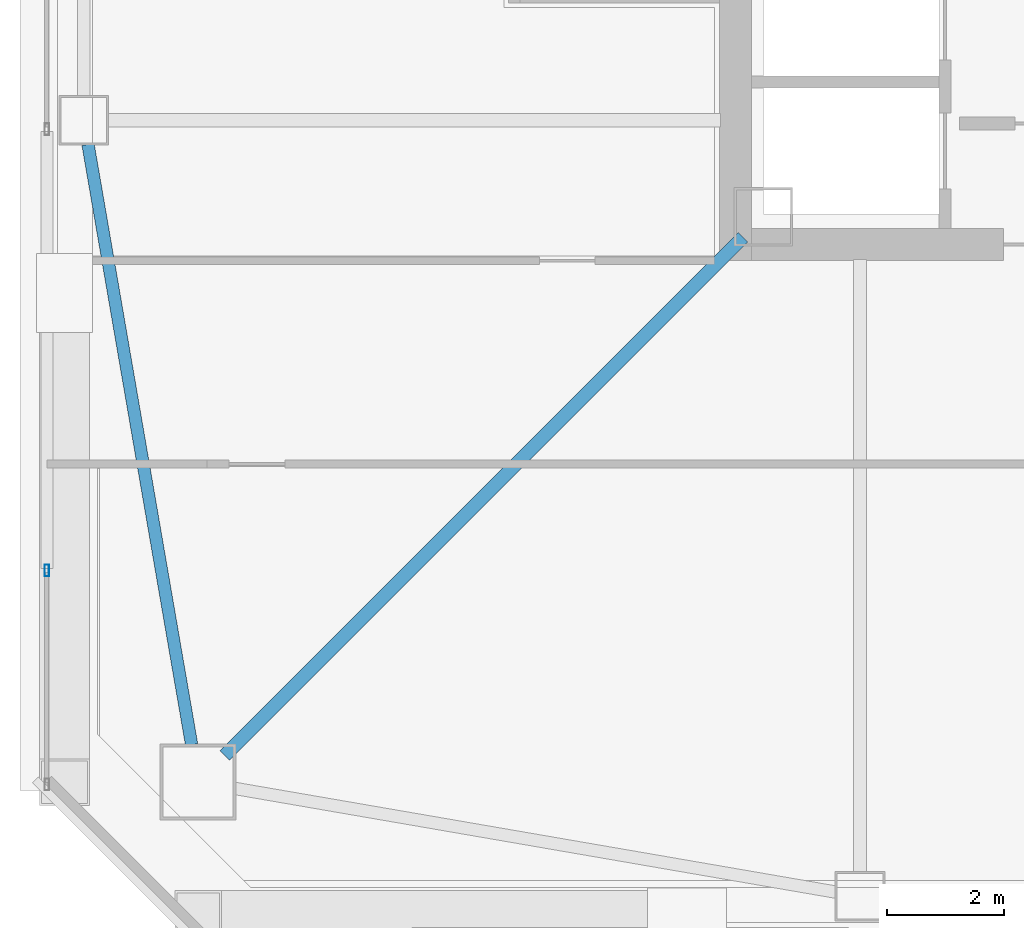
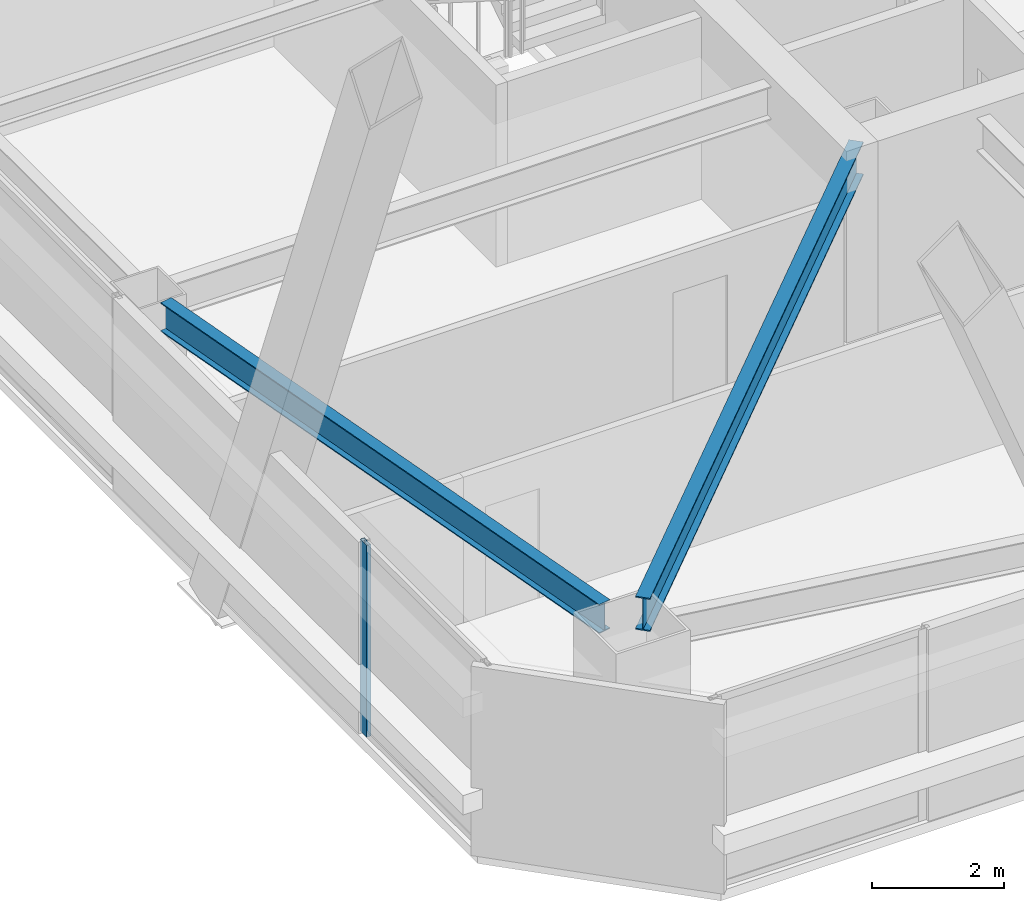
# One storey, part 7 of 54: 2 beams, 1 member, 1 element without a shape of its own.
"""IFC4 building model written with IfcOpenShell, lengths in metres."""

from ifc_helpers import new_model, si_unit, direction, frame, origin, origin_2d, place, context, subcontext, project, spatial, hollow_rectangle, i_section, extrude, material, material_profile, profile_set, type_object, element, aggregate, save


model = new_model("IFC4")

# Units and contexts
model_context = context("Model", 3, precision=1e-05, world=origin(), true_north=direction((0.0, 1.0)))
body_context = subcontext(model_context, "Body", "Model", "MODEL_VIEW")
ifc_project = project(units=[si_unit("LENGTHUNIT", "METRE"), si_unit("AREAUNIT", "SQUARE_METRE"), si_unit("VOLUMEUNIT", "CUBIC_METRE"), si_unit("PLANEANGLEUNIT", "RADIAN"), si_unit("MASSUNIT", "GRAM", prefix="KILO")], contexts=[model_context])

# Site, building, storey
site_placement = place(None, origin())
site = spatial("IfcSite", under=ifc_project, at=site_placement, CompositionType="ELEMENT")
building_placement = place(site_placement, origin())
building = spatial("IfcBuilding", under=site, at=building_placement, Name="Tashvorn Skyway Center", CompositionType="ELEMENT")
storey_placement = place(building_placement, frame((0.0, 0.0, 135.699951171875)))
storey = spatial("IfcBuildingStorey", under=building, at=storey_placement, Name="L36", CompositionType="ELEMENT", Elevation=135.699951171875)

# Beams
ifc_material_1 = material(Name="Steel ASTM A992 Grade 50", Category="steel")
ifc_material_profile_1 = material_profile(ifc_material_1, i_section(OverallWidth=0.22998046875, OverallDepth=0.616943359375, WebThickness=0.01318359375, FlangeThickness=0.022216796875, at=origin_2d()), Name="W24X94")
ifc_profile_set_1 = profile_set([ifc_material_profile_1], Name="Steel ASTM A992 Grade 50")
beam_type_1 = type_object("IfcBeamType", Name="BM-BEAM-W24X94", PredefinedType="BEAM", material=ifc_profile_set_1)
beam_1_placement = place(storey_placement, frame((25.756103515625, 15.756103515625, 3.0615234375), z_axis=(0.707106781187, 0.707106781187, 0.0), x_axis=(-0.707106781187, 0.707106781187, 0.0)))
element("IfcBeam", 1, at=beam_1_placement, inside=storey, type_object=beam_type_1, Name="Tower 1 L36 Primary Floor Girder MC-SW", PredefinedType="BEAM", context=body_context, shape_type="SweptSolid", body=[
    extrude(i_section(OverallWidth=0.22998046875, OverallDepth=0.616943359375, WebThickness=0.01318359375, FlangeThickness=0.022216796875, at=origin_2d()), origin(), (0.0, 0.0, 1.0), 12.50732421875),
])
ifc_material_profile_2 = material_profile(ifc_material_1, i_section(OverallWidth=0.2109375, OverallDepth=0.5390625, WebThickness=0.01171875, FlangeThickness=0.018798828125, at=origin_2d()), Name="W21X73")
ifc_profile_set_2 = profile_set([ifc_material_profile_2], Name="Steel ASTM A992 Grade 50")
beam_type_2 = type_object("IfcBeamType", Name="BM-SPANDREL-W21X73", PredefinedType="SPANDREL", material=ifc_profile_set_2)
beam_2_placement = place(storey_placement, frame((23.42138671875, 26.18603515625, 3.1005859375), z_axis=(0.170067250846, -0.985432458462, 0.0), x_axis=(0.985432458462, 0.170067250846, 0.0)))
element("IfcBeam", 2, at=beam_2_placement, inside=storey, type_object=beam_type_2, Name="Tower 1 L36 Spandrel Beam 12", PredefinedType="SPANDREL", context=body_context, shape_type="SweptSolid", body=[
    extrude(i_section(OverallWidth=0.2109375, OverallDepth=0.5390625, WebThickness=0.01171875, FlangeThickness=0.018798828125, at=origin_2d()), origin(), (0.0, 0.0, 1.0), 10.402099609375),
])

# Curtain wall, member
ifc_material_2 = material(Name="Thermally broken bronze-anodized aluminium 6063-T6", Category="aluminium")
curtain_wall_type = type_object("IfcCurtainWallType", Name="CW-CW-Z3", PredefinedType="NOTDEFINED", material=ifc_material_2)
curtain_wall_placement = place(storey_placement, origin())
curtain_wall = element("IfcCurtainWall", 3, at=curtain_wall_placement, inside=storey, type_object=curtain_wall_type, Name="Tower 1 L36 West Unitised Curtain Wall Glazing Group 1", PredefinedType="NOTDEFINED")
ifc_material_profile_3 = material_profile(ifc_material_2, hollow_rectangle(XDim=0.074951171875, YDim=0.199951171875, WallThickness=0.00439453125, at=origin_2d()), Name="ALU-MULL-75x200")
ifc_profile_set_3 = profile_set([ifc_material_profile_3], Name="Thermally broken bronze-anodized aluminium 6063-T6")
member_type = type_object("IfcMemberType", Name="CWM-CW-Z3", PredefinedType="MULLION", material=ifc_profile_set_3)
member_placement = place(storey_placement, frame((22.719970703125, 18.911376953125, 0.0), z_axis=(0.0, 0.0, 1.0), x_axis=(-1.0, 0.0, 0.0)))
member = element("IfcMember", 4, at=member_placement, type_object=member_type, Name="CW-Z3 mullion 2", PredefinedType="MULLION", context=body_context, shape_type="SweptSolid", body=[
    extrude(hollow_rectangle(XDim=0.074951171875, YDim=0.199951171875, WallThickness=0.00439453125, at=origin_2d()), origin(), (0.0, 0.0, 1.0), 3.550048828125),
])
aggregate(curtain_wall, [member])

save(model, "model.ifc")
